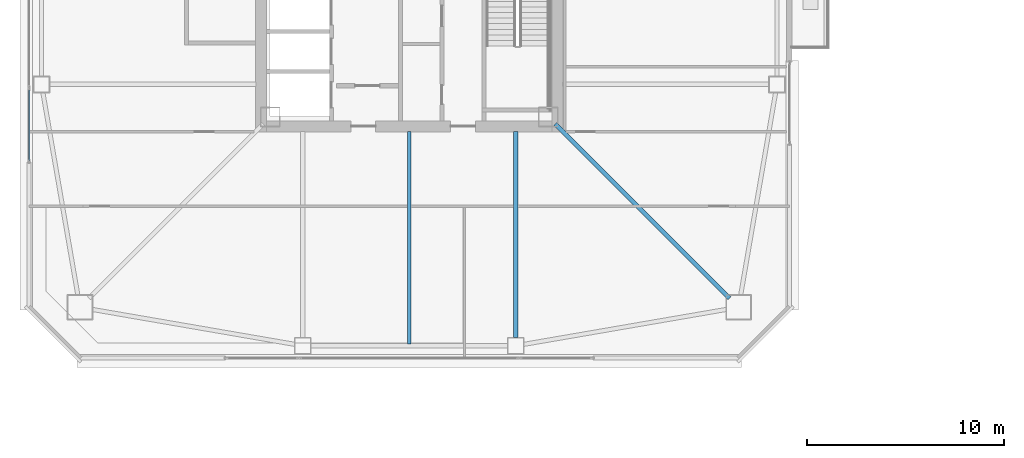
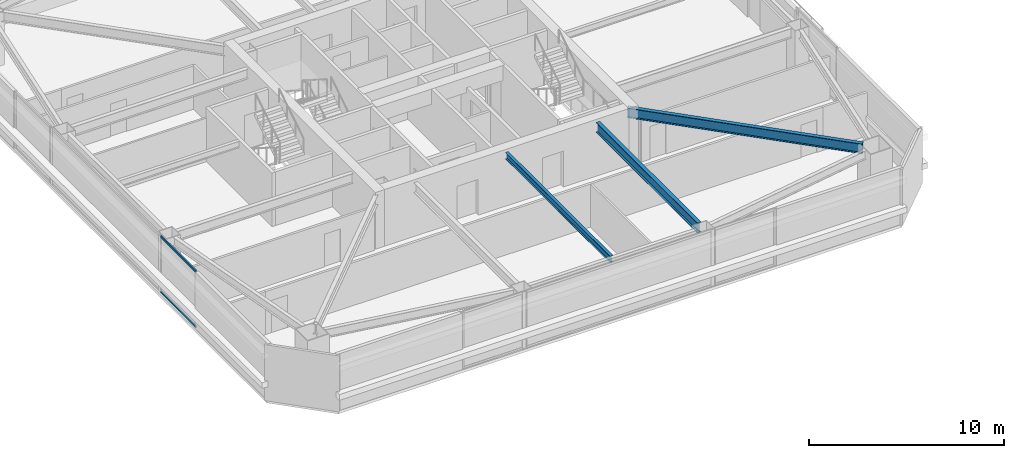
# One storey, part 7 of 40: 3 beams, 2 members, 1 element without a shape of its own.
"""IFC4 building model written with IfcOpenShell, lengths in metres."""

from ifc_helpers import new_model, si_unit, direction, frame, origin, origin_2d, place, context, subcontext, project, spatial, hollow_rectangle, i_section, extrude, material, material_profile, profile_set, type_object, element, aggregate, save


model = new_model("IFC4")

# Units and contexts
model_context = context("Model", 3, precision=1e-05, world=origin(), true_north=direction((0.0, 1.0)))
body_context = subcontext(model_context, "Body", "Model", "MODEL_VIEW")
ifc_project = project(units=[si_unit("LENGTHUNIT", "METRE"), si_unit("AREAUNIT", "SQUARE_METRE"), si_unit("VOLUMEUNIT", "CUBIC_METRE"), si_unit("PLANEANGLEUNIT", "RADIAN"), si_unit("MASSUNIT", "GRAM", prefix="KILO")], contexts=[model_context])

# Site, building, storey
site_placement = place(None, origin())
site = spatial("IfcSite", under=ifc_project, at=site_placement, CompositionType="ELEMENT")
building_placement = place(site_placement, origin())
building = spatial("IfcBuilding", under=site, at=building_placement, Name="Tashvorn Skyway Center", CompositionType="ELEMENT")
storey_placement = place(building_placement, frame((0.0, 0.0, 142.800048828125)))
storey = spatial("IfcBuildingStorey", under=building, at=storey_placement, Name="L38", CompositionType="ELEMENT", Elevation=142.800048828125)

# Beams
ifc_material_1 = material(Name="Steel ASTM A992 Grade 50", Category="steel")
ifc_material_profile_1 = material_profile(ifc_material_1, i_section(OverallWidth=0.22998046875, OverallDepth=0.616943359375, WebThickness=0.01318359375, FlangeThickness=0.022216796875, at=origin_2d()), Name="W24X94")
ifc_profile_set_1 = profile_set([ifc_material_profile_1], Name="Steel ASTM A992 Grade 50")
beam_type_1 = type_object("IfcBeamType", Name="BM-BEAM-W24X94", PredefinedType="BEAM", material=ifc_profile_set_1)
beam_1_placement = place(storey_placement, frame((58.243896484375, 15.756103515625, 3.0615234375), z_axis=(-0.707106781187, 0.707106781187, 0.0), x_axis=(-0.707106781187, -0.707106781187, 0.0)))
element("IfcBeam", 1, at=beam_1_placement, inside=storey, type_object=beam_type_1, Name="Tower 1 L38 Primary Floor Girder MC-SE", PredefinedType="BEAM", context=body_context, shape_type="SweptSolid", body=[
    extrude(i_section(OverallWidth=0.22998046875, OverallDepth=0.616943359375, WebThickness=0.01318359375, FlangeThickness=0.022216796875, at=origin_2d()), origin(), (0.0, 0.0, 1.0), 12.50732421875),
])
beam_2_placement = place(storey_placement, frame((47.39990234375, 13.77001953125, 3.0615234375), z_axis=(0.0, 1.0, 0.0), x_axis=(-1.0, 0.0, 0.0)))
element("IfcBeam", 2, at=beam_2_placement, inside=storey, type_object=beam_type_1, Name="Tower 1 L38 Primary Floor Girder FC-S2", PredefinedType="BEAM", context=body_context, shape_type="SweptSolid", body=[
    extrude(i_section(OverallWidth=0.22998046875, OverallDepth=0.616943359375, WebThickness=0.01318359375, FlangeThickness=0.022216796875, at=origin_2d()), origin(), (0.0, 0.0, 1.0), 10.449951171875),
])
ifc_material_profile_2 = material_profile(ifc_material_1, i_section(OverallWidth=0.177978515625, OverallDepth=0.406005859375, WebThickness=0.0078125, FlangeThickness=0.0126953125, at=origin_2d()), Name="W16X40")
ifc_profile_set_2 = profile_set([ifc_material_profile_2], Name="Steel ASTM A992 Grade 50")
beam_type_2 = type_object("IfcBeamType", Name="BM-JOIST-W16X40", PredefinedType="JOIST", material=ifc_profile_set_2)
beam_3_placement = place(storey_placement, frame((42.0, 24.2099609375, 3.1669921875), z_axis=(0.0, -1.0, 0.0), x_axis=(1.0, 0.0, 0.0)))
element("IfcBeam", 3, at=beam_3_placement, inside=storey, type_object=beam_type_2, Name="Tower 1 L38 Secondary Composite Joist JS", PredefinedType="JOIST", context=body_context, shape_type="SweptSolid", body=[
    extrude(i_section(OverallWidth=0.177978515625, OverallDepth=0.406005859375, WebThickness=0.0078125, FlangeThickness=0.0126953125, at=origin_2d()), origin(), (0.0, 0.0, 1.0), 10.762451171875),
])

# Curtain wall, members
ifc_material_2 = material(Name="Thermally broken bronze-anodized aluminium 6063-T6", Category="aluminium")
curtain_wall_type = type_object("IfcCurtainWallType", Name="CW-CW-Z3", PredefinedType="NOTDEFINED", material=ifc_material_2)
curtain_wall_placement = place(storey_placement, origin())
curtain_wall = element("IfcCurtainWall", 4, at=curtain_wall_placement, inside=storey, type_object=curtain_wall_type, Name="Tower 1 L38 West Unitised Curtain Wall Glazing Group 1", PredefinedType="NOTDEFINED")
ifc_material_profile_3 = material_profile(ifc_material_2, hollow_rectangle(XDim=0.074951171875, YDim=0.139892578125, WallThickness=0.004150390625, at=origin_2d()), Name="ALU-TRAN-75x140")
ifc_profile_set_3 = profile_set([ifc_material_profile_3], Name="Thermally broken bronze-anodized aluminium 6063-T6")
member_type = type_object("IfcMemberType", Name="CWT-CW-Z3", PredefinedType="USERDEFINED", material=ifc_profile_set_3)
member_1_placement = place(storey_placement, frame((22.719970703125, 22.752685546875, 0.037353515625), z_axis=(0.0, 1.0, 0.0), x_axis=(-1.0, 0.0, 0.0)))
member_1 = element("IfcMember", 5, at=member_1_placement, type_object=member_type, Name="CW-Z3 transom 1.1", ObjectType="TRANSOM", PredefinedType="USERDEFINED", context=body_context, shape_type="SweptSolid", body=[
    extrude(hollow_rectangle(XDim=0.074951171875, YDim=0.139892578125, WallThickness=0.004150390625, at=origin_2d()), origin(), (0.0, 0.0, 1.0), 3.5791015625),
])
member_2_placement = place(storey_placement, frame((22.719970703125, 22.752685546875, 3.512451171875), z_axis=(0.0, 1.0, 0.0), x_axis=(-1.0, 0.0, 0.0)))
member_2 = element("IfcMember", 6, at=member_2_placement, type_object=member_type, Name="CW-Z3 transom 1.2", ObjectType="TRANSOM", PredefinedType="USERDEFINED", context=body_context, shape_type="SweptSolid", body=[
    extrude(hollow_rectangle(XDim=0.074951171875, YDim=0.139892578125, WallThickness=0.004150390625, at=origin_2d()), origin(), (0.0, 0.0, 1.0), 3.5791015625),
])
aggregate(curtain_wall, [member_1, member_2])

save(model, "model.ifc")
